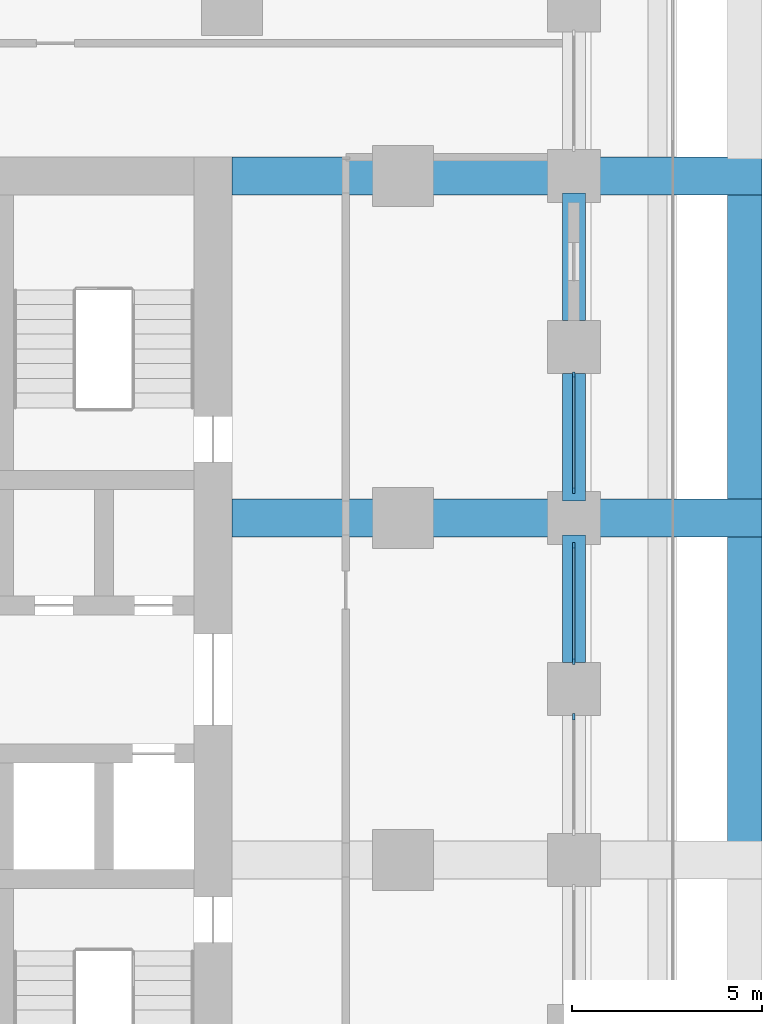
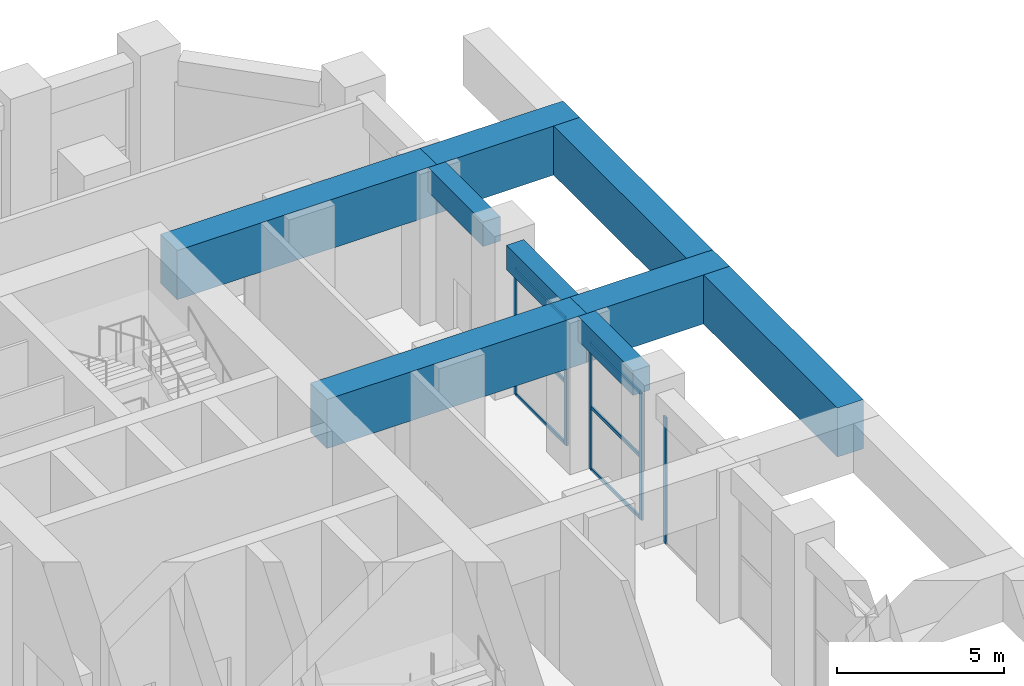
# One storey, part 8 of 21: 11 members, 9 beams, 3 elements without a shape of their own.
"""IFC4 building model written with IfcOpenShell, lengths in metres."""

from ifc_helpers import new_model, si_unit, direction, frame, origin, origin_2d, place, context, subcontext, project, spatial, rectangle, extrude, material, material_profile, profile_set, type_object, element, aggregate, save


model = new_model("IFC4")

# Units and contexts
model_context = context("Model", 3, precision=1e-05, world=origin(), true_north=direction((0.0, 1.0)))
body_context = subcontext(model_context, "Body", "Model", "MODEL_VIEW")
ifc_project = project(units=[si_unit("LENGTHUNIT", "METRE"), si_unit("AREAUNIT", "SQUARE_METRE"), si_unit("VOLUMEUNIT", "CUBIC_METRE"), si_unit("PLANEANGLEUNIT", "RADIAN"), si_unit("MASSUNIT", "GRAM", prefix="KILO")], contexts=[model_context])

# Site, building, storey
site_placement = place(None, origin())
site = spatial("IfcSite", under=ifc_project, at=site_placement, CompositionType="ELEMENT")
building_placement = place(site_placement, origin())
building = spatial("IfcBuilding", under=site, at=building_placement, Name="Corbel Stack Research Tower", CompositionType="ELEMENT")
storey_placement = place(building_placement, frame((0.0, 0.0, 35.89990234375)))
storey = spatial("IfcBuildingStorey", under=building, at=storey_placement, Name="L08", CompositionType="ELEMENT", Elevation=35.89990234375)

# Curtain wall, member
ifc_material_1 = material(Name="Aluminium frame, clear glass", Category="aluminium")
curtain_wall_type = type_object("IfcCurtainWallType", Name="Amenity floor curtain wall CW2", PredefinedType="NOTDEFINED", material=ifc_material_1)
curtain_wall_1_placement = place(storey_placement, origin())
curtain_wall_1 = element("IfcCurtainWall", 1, at=curtain_wall_1_placement, inside=storey, type_object=curtain_wall_type, Name="Curtain wall CW2 L08 E06", PredefinedType="NOTDEFINED")
ifc_material_2 = material(Name="Aluminium mullion", Category="aluminium")
ifc_material_profile_1 = material_profile(ifc_material_2, rectangle(XDim=0.06005859375, YDim=0.159912109375, at=origin_2d()), Name="Mullion 60 x 160")
ifc_profile_set_1 = profile_set([ifc_material_profile_1], Name="Aluminium mullion")
member_type_1 = type_object("IfcMemberType", Name="Curtain wall mullion 60 x 160", PredefinedType="MULLION", material=ifc_profile_set_1)
member_1_placement = place(storey_placement, frame((27.0, 3.77001953125, 0.0), z_axis=(0.0, 0.0, 1.0), x_axis=(-1.0, 0.0, 0.0)))
member_1 = element("IfcMember", 2, at=member_1_placement, type_object=member_type_1, Name="CW2 L08 E06 mullion 2", PredefinedType="MULLION", context=body_context, shape_type="SweptSolid", body=[
    extrude(rectangle(XDim=0.06005859375, YDim=0.159912109375, at=origin_2d()), origin(), (0.0, 0.0, 1.0), 4.650146484375),
])
aggregate(curtain_wall_1, [member_1])

# Curtain wall, members
curtain_wall_2_placement = place(storey_placement, origin())
curtain_wall_2 = element("IfcCurtainWall", 3, at=curtain_wall_2_placement, inside=storey, type_object=curtain_wall_type, Name="Curtain wall CW2 L08 E07", PredefinedType="NOTDEFINED")
member_2_placement = place(storey_placement, frame((27.0, 5.22998046875, 0.0), z_axis=(0.0, 0.0, 1.0), x_axis=(-1.0, 0.0, 0.0)))
member_2 = element("IfcMember", 4, at=member_2_placement, type_object=member_type_1, Name="CW2 L08 E07 mullion 1", PredefinedType="MULLION", context=body_context, shape_type="SweptSolid", body=[
    extrude(rectangle(XDim=0.06005859375, YDim=0.159912109375, at=origin_2d()), origin(), (0.0, 0.0, 1.0), 4.650146484375),
])
member_3_placement = place(storey_placement, frame((27.0, 8.27001953125, 0.0), z_axis=(0.0, 0.0, 1.0), x_axis=(-1.0, 0.0, 0.0)))
member_3 = element("IfcMember", 5, at=member_3_placement, type_object=member_type_1, Name="CW2 L08 E07 mullion 2", PredefinedType="MULLION", context=body_context, shape_type="SweptSolid", body=[
    extrude(rectangle(XDim=0.06005859375, YDim=0.159912109375, at=origin_2d()), origin(), (0.0, 0.0, 1.0), 4.650146484375),
])

curtain_wall_3_placement = place(storey_placement, origin())
curtain_wall_3 = element("IfcCurtainWall", 6, at=curtain_wall_3_placement, inside=storey, type_object=curtain_wall_type, Name="Curtain wall CW2 L08 E08", PredefinedType="NOTDEFINED")
member_4_placement = place(storey_placement, frame((27.0, 9.72998046875, 0.0), z_axis=(0.0, 0.0, 1.0), x_axis=(-1.0, 0.0, 0.0)))
member_4 = element("IfcMember", 7, at=member_4_placement, type_object=member_type_1, Name="CW2 L08 E08 mullion 1", PredefinedType="MULLION", context=body_context, shape_type="SweptSolid", body=[
    extrude(rectangle(XDim=0.06005859375, YDim=0.159912109375, at=origin_2d()), origin(), (0.0, 0.0, 1.0), 4.650146484375),
])
member_5_placement = place(storey_placement, frame((27.0, 12.77001953125, 0.0), z_axis=(0.0, 0.0, 1.0), x_axis=(-1.0, 0.0, 0.0)))
member_5 = element("IfcMember", 8, at=member_5_placement, type_object=member_type_1, Name="CW2 L08 E08 mullion 2", PredefinedType="MULLION", context=body_context, shape_type="SweptSolid", body=[
    extrude(rectangle(XDim=0.06005859375, YDim=0.159912109375, at=origin_2d()), origin(), (0.0, 0.0, 1.0), 4.650146484375),
])

# Member
ifc_material_3 = material(Name="Aluminium transom", Category="aluminium")
ifc_material_profile_2 = material_profile(ifc_material_3, rectangle(XDim=0.06005859375, YDim=0.1201171875, at=origin_2d()), Name="Transom 60 x 120")
ifc_profile_set_2 = profile_set([ifc_material_profile_2], Name="Aluminium transom")
member_type_2 = type_object("IfcMemberType", Name="Curtain wall transom 60 x 120", PredefinedType="USERDEFINED", material=ifc_profile_set_2)
member_6_placement = place(storey_placement, frame((27.0, 5.260009765625, 0.030029296875), z_axis=(0.0, 1.0, 0.0), x_axis=(-1.0, 0.0, 0.0)))
member_6 = element("IfcMember", 9, at=member_6_placement, type_object=member_type_2, Name="CW2 L08 E07 transom 1.1", ObjectType="TRANSOM", PredefinedType="USERDEFINED", context=body_context, shape_type="SweptSolid", body=[
    extrude(rectangle(XDim=0.06005859375, YDim=0.1201171875, at=origin_2d()), origin(), (0.0, 0.0, 1.0), 2.97998046875),
])

member_7_placement = place(storey_placement, frame((27.0, 5.260009765625, 2.300048828125), z_axis=(0.0, 1.0, 0.0), x_axis=(-1.0, 0.0, 0.0)))
member_7 = element("IfcMember", 10, at=member_7_placement, type_object=member_type_2, Name="CW2 L08 E07 transom 1.2", ObjectType="TRANSOM", PredefinedType="USERDEFINED", context=body_context, shape_type="SweptSolid", body=[
    extrude(rectangle(XDim=0.06005859375, YDim=0.1201171875, at=origin_2d()), origin(), (0.0, 0.0, 1.0), 2.97998046875),
])

member_8_placement = place(storey_placement, frame((27.0, 5.260009765625, 4.6201171875), z_axis=(0.0, 1.0, 0.0), x_axis=(-1.0, 0.0, 0.0)))
member_8 = element("IfcMember", 11, at=member_8_placement, type_object=member_type_2, Name="CW2 L08 E07 transom 1.3", ObjectType="TRANSOM", PredefinedType="USERDEFINED", context=body_context, shape_type="SweptSolid", body=[
    extrude(rectangle(XDim=0.06005859375, YDim=0.1201171875, at=origin_2d()), origin(), (0.0, 0.0, 1.0), 2.97998046875),
])

aggregate(curtain_wall_2, [member_2, member_3, member_6, member_7, member_8])

member_9_placement = place(storey_placement, frame((27.0, 9.760009765625, 0.030029296875), z_axis=(0.0, 1.0, 0.0), x_axis=(-1.0, 0.0, 0.0)))
member_9 = element("IfcMember", 12, at=member_9_placement, type_object=member_type_2, Name="CW2 L08 E08 transom 1.1", ObjectType="TRANSOM", PredefinedType="USERDEFINED", context=body_context, shape_type="SweptSolid", body=[
    extrude(rectangle(XDim=0.06005859375, YDim=0.1201171875, at=origin_2d()), origin(), (0.0, 0.0, 1.0), 2.97998046875),
])

member_10_placement = place(storey_placement, frame((27.0, 9.760009765625, 2.300048828125), z_axis=(0.0, 1.0, 0.0), x_axis=(-1.0, 0.0, 0.0)))
member_10 = element("IfcMember", 13, at=member_10_placement, type_object=member_type_2, Name="CW2 L08 E08 transom 1.2", ObjectType="TRANSOM", PredefinedType="USERDEFINED", context=body_context, shape_type="SweptSolid", body=[
    extrude(rectangle(XDim=0.06005859375, YDim=0.1201171875, at=origin_2d()), origin(), (0.0, 0.0, 1.0), 2.97998046875),
])

member_11_placement = place(storey_placement, frame((27.0, 9.760009765625, 4.6201171875), z_axis=(0.0, 1.0, 0.0), x_axis=(-1.0, 0.0, 0.0)))
member_11 = element("IfcMember", 14, at=member_11_placement, type_object=member_type_2, Name="CW2 L08 E08 transom 1.3", ObjectType="TRANSOM", PredefinedType="USERDEFINED", context=body_context, shape_type="SweptSolid", body=[
    extrude(rectangle(XDim=0.06005859375, YDim=0.1201171875, at=origin_2d()), origin(), (0.0, 0.0, 1.0), 2.97998046875),
])

aggregate(curtain_wall_3, [member_4, member_5, member_9, member_10, member_11])

# Beams
ifc_material_4 = material(Name="Concrete C60/75", Category="concrete")
ifc_material_profile_3 = material_profile(ifc_material_4, rectangle(XDim=0.60009765625, YDim=0.89990234375, at=origin_2d()), Name="RC 600 x 900")
ifc_profile_set_3 = profile_set([ifc_material_profile_3], Name="Concrete C60/75")
beam_type_1 = type_object("IfcBeamType", Name="SB-600-900-450", PredefinedType="SPANDREL", material=ifc_profile_set_3)
for number, where, z_axis, x_axis, name in (
    (15, (27.0, 5.199951171875, 5.10009765625), (0.0, 1.0, 0.0), (-1.0, 0.0, 0.0), "Spandrel beam L08-18"),
    (16, (27.0, 9.449951171875, 5.10009765625), (0.0, 1.0, 0.0), (-1.0, 0.0, 0.0), "Spandrel beam L08-19"),
    (17, (27.0, 14.199951171875, 5.10009765625), (0.0, 1.0, 0.0), (-1.0, 0.0, 0.0), "Spandrel beam L08-20"),
):
    element("IfcBeam", number, at=place(storey_placement, frame(where, z_axis=z_axis, x_axis=x_axis)), inside=storey, type_object=beam_type_1, Name=name, PredefinedType="SPANDREL", context=body_context, shape_type="SweptSolid", body=[
        extrude(rectangle(XDim=0.60009765625, YDim=0.89990234375, at=origin_2d()), origin(), (0.0, 0.0, 1.0), 3.35009765625),
    ])
ifc_material_5 = material(Name="Concrete C60/75", Category="concrete")
ifc_material_profile_4 = material_profile(ifc_material_5, rectangle(XDim=1.0, YDim=1.800048828125, at=origin_2d()), Name="RC 1000 x 1800")
ifc_profile_set_4 = profile_set([ifc_material_profile_4], Name="Concrete C60/75")
beam_type_2 = type_object("IfcBeamType", Name="TG-1000-1800", PredefinedType="BEAM", material=ifc_profile_set_4)
beam_1_placement = place(storey_placement, frame((31.949951171875, 9.0, 4.650146484375), z_axis=(-1.0, 0.0, 0.0), x_axis=(0.0, -1.0, 0.0)))
element("IfcBeam", 18, at=beam_1_placement, inside=storey, type_object=beam_type_2, Name="Transfer girder L08 E9c", PredefinedType="BEAM", context=body_context, shape_type="SweptSolid", body=[
    extrude(rectangle(XDim=1.0, YDim=1.800048828125, at=origin_2d()), origin(), (0.0, 0.0, 1.0), 4.949951171875),
])
beam_2_placement = place(storey_placement, frame((27.0, 9.0, 4.650146484375), z_axis=(-1.0, 0.0, 0.0), x_axis=(0.0, -1.0, 0.0)))
element("IfcBeam", 19, at=beam_2_placement, inside=storey, type_object=beam_type_2, Name="Transfer girder L08 E9b", PredefinedType="BEAM", context=body_context, shape_type="SweptSolid", body=[
    extrude(rectangle(XDim=1.0, YDim=1.800048828125, at=origin_2d()), origin(), (0.0, 0.0, 1.0), 9.0),
])
beam_3_placement = place(storey_placement, frame((31.949951171875, 18.0, 4.650146484375), z_axis=(-1.0, 0.0, 0.0), x_axis=(0.0, -1.0, 0.0)))
element("IfcBeam", 20, at=beam_3_placement, inside=storey, type_object=beam_type_2, Name="Transfer girder L08 E18c", PredefinedType="BEAM", context=body_context, shape_type="SweptSolid", body=[
    extrude(rectangle(XDim=1.0, YDim=1.800048828125, at=origin_2d()), origin(), (0.0, 0.0, 1.0), 4.949951171875),
])
beam_4_placement = place(storey_placement, frame((27.0, 18.0, 4.650146484375), z_axis=(-1.0, 0.0, 0.0), x_axis=(0.0, -1.0, 0.0)))
element("IfcBeam", 21, at=beam_4_placement, inside=storey, type_object=beam_type_2, Name="Transfer girder L08 E18b", PredefinedType="BEAM", context=body_context, shape_type="SweptSolid", body=[
    extrude(rectangle(XDim=1.0, YDim=1.800048828125, at=origin_2d()), origin(), (0.0, 0.0, 1.0), 9.0),
])
ifc_material_6 = material(Name="Concrete C60/75", Category="concrete")
ifc_material_profile_5 = material_profile(ifc_material_6, rectangle(XDim=0.89990234375, YDim=1.800048828125, at=origin_2d()), Name="RC 900 x 1800")
ifc_profile_set_5 = profile_set([ifc_material_profile_5], Name="Concrete C60/75")
beam_type_3 = type_object("IfcBeamType", Name="TG-900-1800", PredefinedType="BEAM", material=ifc_profile_set_5)
for number, where, z_axis, x_axis, name in (
    (22, (31.5, 0.449951171875, 4.650146484375), (0.0, 1.0, 0.0), (-1.0, 0.0, 0.0), "Transfer edge beam L08 Ee0"),
    (23, (31.5, 9.449951171875, 4.650146484375), (0.0, 1.0, 0.0), (-1.0, 0.0, 0.0), "Transfer edge beam L08 Ee9"),
):
    element("IfcBeam", number, at=place(storey_placement, frame(where, z_axis=z_axis, x_axis=x_axis)), inside=storey, type_object=beam_type_3, Name=name, PredefinedType="BEAM", context=body_context, shape_type="SweptSolid", body=[
        extrude(rectangle(XDim=0.89990234375, YDim=1.800048828125, at=origin_2d()), origin(), (0.0, 0.0, 1.0), 8.10009765625),
    ])

save(model, "model.ifc")
